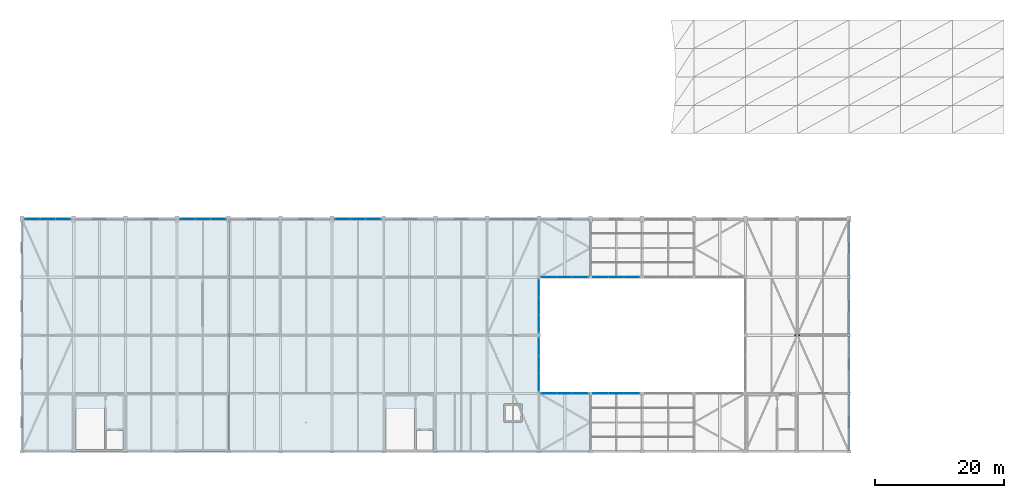
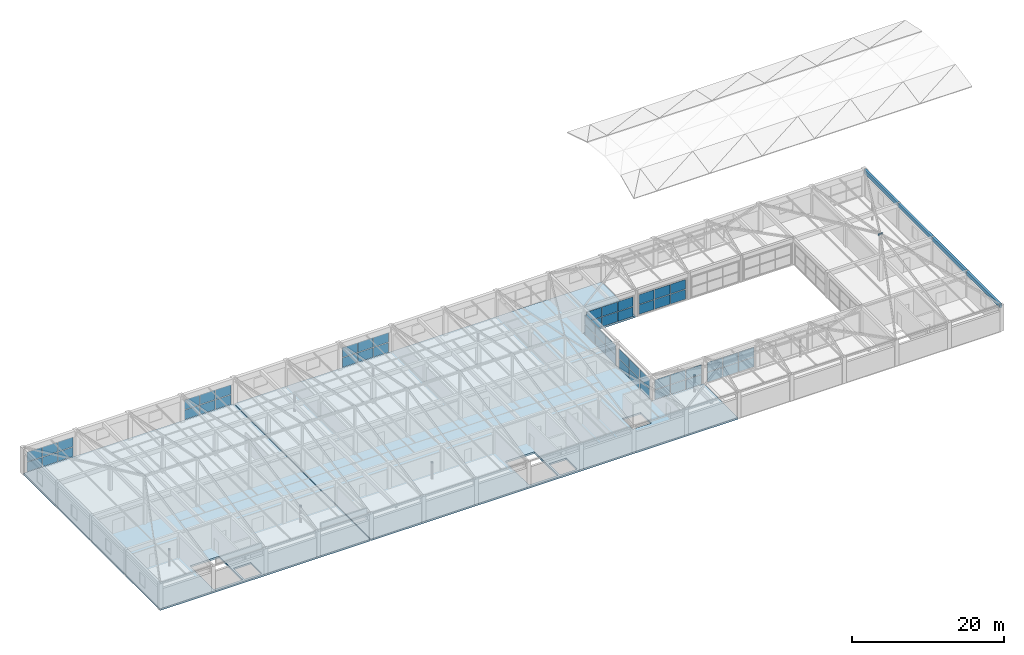
# One storey, part 49 of 65: 54 plates, 5 beams, 2 slabs, 9 elements without a shape of their own.
"""IFC4 building model written with IfcOpenShell, lengths in metres."""

import ifcopenshell
import ifcopenshell.guid

model = None  # the IFC model being written
_history = None  # IfcOwnerHistory: only IFC2X3 demands one
_inside = {}  # id of a spatial element -> (the spatial element, [elements in it])
_under = {}  # id of a project, library or spatial element -> (it, [spatial elements below it])
_declared = {}  # id of a project -> (the project, [libraries it declares])
_typed = {}  # id of a type object -> (the type object, [elements of that type])
_made_of = {}  # id of a material, layer set ... -> (it, [elements and type objects made of it])


def new_model(schema):
    """Start an empty IFC model of exactly this schema.

    Asked for "IFC4X3", IfcOpenShell would pick the latest addendum, in which some entities
    have other attributes; the version numbers below select the first issue.
    IFC2X3 requires an IfcOwnerHistory on every rooted entity: one is made here for all.
    """
    global model, _history
    if schema == "IFC4X3":
        model = ifcopenshell.file(schema_version=(4, 3, 0, 0))
    else:
        model = ifcopenshell.file(schema=schema)
    _inside.clear()
    _under.clear()
    _declared.clear()
    _typed.clear()
    _made_of.clear()
    _history = None
    if model.schema == "IFC2X3":
        org = make("IfcOrganization", Name="unknown")
        user = make(
            "IfcPersonAndOrganization",
            ThePerson=make("IfcPerson", FamilyName="unknown"),
            TheOrganization=org,
        )
        app = make(
            "IfcApplication",
            ApplicationDeveloper=org,
            Version="unknown",
            ApplicationFullName="unknown",
            ApplicationIdentifier="unknown",
        )
        _history = make(
            "IfcOwnerHistory",
            OwningUser=user,
            OwningApplication=app,
            ChangeAction="ADDED",
            CreationDate=0,
        )
    return model


def make(cls, **values):
    """One entity of the class cls with the attributes given. An attribute that is None is left unset."""
    return model.create_entity(
        cls, **{name: value for name, value in values.items() if value is not None}
    )


def rooted(cls, **values):
    """An entity with a GlobalId (a new one), such as an element, a storey or a relation."""
    return make(cls, GlobalId=ifcopenshell.guid.new(), OwnerHistory=_history, **values)


def si_unit(unit_type, name, prefix=None):
    """IfcSIUnit, for example si_unit("LENGTHUNIT", "METRE", prefix="MILLI")."""
    return make("IfcSIUnit", UnitType=unit_type, Prefix=prefix, Name=name)


def assignment(units):
    """IfcUnitAssignment: the units of a project."""
    return None if units is None else make("IfcUnitAssignment", Units=units)


def point(xyz):
    """IfcCartesianPoint."""
    return None if xyz is None else make("IfcCartesianPoint", Coordinates=xyz)


def direction(xyz):
    """IfcDirection."""
    return None if xyz is None else make("IfcDirection", DirectionRatios=xyz)


def frame(location, z_axis=None, x_axis=None):
    """IfcAxis2Placement3D, a coordinate frame: its origin and axes. An axis left out is left unset."""
    return make(
        "IfcAxis2Placement3D",
        Location=point(location),
        Axis=direction(z_axis),
        RefDirection=direction(x_axis),
    )


def frame_2d(location, x_axis=None):
    """IfcAxis2Placement2D, a coordinate frame in the plane: its origin and x axis."""
    return make(
        "IfcAxis2Placement2D", Location=point(location), RefDirection=direction(x_axis)
    )


def origin():
    """The frame at (0, 0, 0) with its axes left unset."""
    return frame((0.0, 0.0, 0.0))


def origin_2d():
    """The frame at (0, 0) in the plane with its x axis left unset."""
    return frame_2d((0.0, 0.0))


def place(relative_to, where):
    """IfcLocalPlacement: puts the frame where relative to a parent placement (None: the world)."""
    return make(
        "IfcLocalPlacement", PlacementRelTo=relative_to, RelativePlacement=where
    )


def context(
    kind, dimensions, precision=None, world=None, true_north=None, identifier=None
):
    """IfcGeometricRepresentationContext, for example the 3D "Model" context."""
    return make(
        "IfcGeometricRepresentationContext",
        ContextIdentifier=identifier,
        ContextType=kind,
        CoordinateSpaceDimension=dimensions,
        Precision=precision,
        WorldCoordinateSystem=world,
        TrueNorth=true_north,
    )


def subcontext(parent, identifier, kind, view, scale=None):
    """IfcGeometricRepresentationSubContext, for example "Body" below "Model"."""
    return make(
        "IfcGeometricRepresentationSubContext",
        ContextIdentifier=identifier,
        ContextType=kind,
        ParentContext=parent,
        TargetScale=scale,
        TargetView=view,
    )


def project(units=None, contexts=None):
    """IfcProject with its units and contexts."""
    return rooted(
        "IfcProject",
        Name="project",
        RepresentationContexts=contexts,
        UnitsInContext=assignment(units),
    )


def spatial(cls, under=None, at=None, **own):
    """A site, building, storey or space (cls), placed at a placement, below another one or the project."""
    s = rooted(cls, ObjectPlacement=at, **own)
    if under is not None:
        _under.setdefault(under.id(), (under, []))[1].append(s)
    return s


def polyline(points):
    """IfcPolyline through the points."""
    return make("IfcPolyline", Points=[point(p) for p in points])


def profile(cls, at=None, kind="AREA", **sizes):
    """A parametric profile (cls). Its sizes go by their IFC names, for example OverallWidth=200.0."""
    return make(cls, ProfileType=kind, Position=at, **sizes)


def rectangle(**sizes):
    """IfcRectangleProfileDef."""
    return profile("IfcRectangleProfileDef", **sizes)


def i_section(**sizes):
    """IfcIShapeProfileDef."""
    return profile("IfcIShapeProfileDef", **sizes)


def outline(outer, holes=None, kind="AREA"):
    """IfcArbitraryClosedProfileDef: a profile drawn as a closed curve; with holes, ...WithVoids."""
    if holes is None:
        return make("IfcArbitraryClosedProfileDef", ProfileType=kind, OuterCurve=outer)
    return make(
        "IfcArbitraryProfileDefWithVoids",
        ProfileType=kind,
        OuterCurve=outer,
        InnerCurves=holes,
    )


def extrude(swept, where, along, depth):
    """IfcExtrudedAreaSolid: the profile swept, set in the frame where, extruded along a direction by depth."""
    return make(
        "IfcExtrudedAreaSolid",
        SweptArea=swept,
        Position=where,
        ExtrudedDirection=direction(along),
        Depth=depth,
    )


def shape(context_of_items, identifier, shape_type, items):
    """IfcShapeRepresentation: the items that make up one representation, for example the "Body"."""
    return make(
        "IfcShapeRepresentation",
        ContextOfItems=context_of_items,
        RepresentationIdentifier=identifier,
        RepresentationType=shape_type,
        Items=items,
    )


def material(Name=None, Category=None):
    """IfcMaterial."""
    return make("IfcMaterial", Name=Name, Category=Category)


def layer(
    of_material, thickness, ventilated=None, Name=None, Category=None, Priority=None
):
    """IfcMaterialLayer: one layer of a wall or slab, of a material (None: an air gap)."""
    return make(
        "IfcMaterialLayer",
        Material=of_material,
        LayerThickness=thickness,
        IsVentilated=ventilated,
        Name=Name,
        Category=Category,
        Priority=Priority,
    )


def layer_set(layers, Name=None):
    """IfcMaterialLayerSet."""
    return make("IfcMaterialLayerSet", MaterialLayers=layers, LayerSetName=Name)


def material_profile(
    of_material, cross_section, Name=None, Category=None, Priority=None
):
    """IfcMaterialProfile: a cross section and its material."""
    return make(
        "IfcMaterialProfile",
        Name=Name,
        Material=of_material,
        Profile=cross_section,
        Priority=Priority,
        Category=Category,
    )


def profile_set(profiles, Name=None, composite=None):
    """IfcMaterialProfileSet."""
    return make(
        "IfcMaterialProfileSet",
        Name=Name,
        MaterialProfiles=profiles,
        CompositeProfile=composite,
    )


def made_of(thing, what):
    """Note that an element or type object is made of a material, layer set ...; save() writes the relation."""
    if what is not None:
        _made_of.setdefault(what.id(), (what, []))[1].append(thing)
    return thing


def type_object(cls, material=None, **own):
    """A type object (cls), such as IfcWallType, which elements share."""
    return made_of(rooted(cls, **own), material)


def element(
    cls,
    number,
    at=None,
    inside=None,
    cuts=None,
    type_object=None,
    material=None,
    context=None,
    identifier="Body",
    shape_type=None,
    held_by="IfcProductDefinitionShape",
    body=None,
    shapes=None,
    **own,
):
    """One element of the class cls, such as IfcWall. Its Tag is "e" and its number.

    at: its placement. inside: the storey or other place that contains it. cuts: it is an
    opening in that element (IfcRelVoidsElement). A single representation is given by context,
    identifier, shape_type and body (its items); several are given by shapes. held_by: the class
    of the entity that holds the representations. save() writes the other relations.
    """
    e = rooted(cls, Tag="e%d" % number, ObjectPlacement=at, **own)
    if body is not None:
        shapes = [shape(context, identifier, shape_type, body)]
    if shapes is not None:
        e.Representation = make(held_by, Representations=shapes)
    if inside is not None:
        _inside.setdefault(inside.id(), (inside, []))[1].append(e)
    if cuts is not None:
        rooted(
            "IfcRelVoidsElement", RelatingBuildingElement=cuts, RelatedOpeningElement=e
        )
    if type_object is not None:
        _typed.setdefault(type_object.id(), (type_object, []))[1].append(e)
    return made_of(e, material)


def aggregate(whole, parts):
    """IfcRelAggregates: a whole, such as a stair, and the parts it consists of."""
    return rooted("IfcRelAggregates", RelatingObject=whole, RelatedObjects=parts)


def save(model, path):
    """Write the relations noted so far, then the file.

    IfcRelAggregates (storeys below a building ...), IfcRelContainedInSpatialStructure (elements
    in a storey), IfcRelDefinesByType, IfcRelAssociatesMaterial and IfcRelDeclares: one each for
    every whole, place, type object, material and project.
    """
    for whole, parts in _under.values():
        aggregate(whole, parts)
    for where, things in _inside.values():
        rooted(
            "IfcRelContainedInSpatialStructure",
            RelatedElements=things,
            RelatingStructure=where,
        )
    for kind, things in _typed.values():
        rooted("IfcRelDefinesByType", RelatedObjects=things, RelatingType=kind)
    for what, things in _made_of.values():
        rooted("IfcRelAssociatesMaterial", RelatedObjects=things, RelatingMaterial=what)
    for by, libraries in _declared.values():
        rooted("IfcRelDeclares", RelatingContext=by, RelatedDefinitions=libraries)
    model.write(path)


model = new_model("IFC4")

# Units and contexts
model_context = context("Model", 3, precision=1e-05, world=origin(), true_north=direction((0.0, 1.0)))
body_context = subcontext(model_context, "Body", "Model", "MODEL_VIEW")
ifc_project = project(units=[si_unit("LENGTHUNIT", "METRE"), si_unit("AREAUNIT", "SQUARE_METRE"), si_unit("VOLUMEUNIT", "CUBIC_METRE"), si_unit("PLANEANGLEUNIT", "RADIAN"), si_unit("MASSUNIT", "GRAM", prefix="KILO")], contexts=[model_context])

# Site, building, storey
site_placement = place(None, origin())
site = spatial("IfcSite", under=ifc_project, at=site_placement, CompositionType="ELEMENT")
building_placement = place(site_placement, origin())
building = spatial("IfcBuilding", under=site, at=building_placement, Name="Varnabhumi Central Station", CompositionType="ELEMENT")
storey_placement = place(building_placement, frame((0.0, 0.0, 24.60009765625)))
storey = spatial("IfcBuildingStorey", under=building, at=storey_placement, Name="L05", CompositionType="ELEMENT", Elevation=24.60009765625)

# Beams
ifc_material_1 = material(Name="Structural steel E350", Category="steel")
ifc_material_profile_1 = material_profile(ifc_material_1, i_section(OverallWidth=0.125, OverallDepth=0.25, WebThickness=0.0068359375, FlangeThickness=0.012451171875, FilletRadius=0.012939453125, at=origin_2d()), Name="Structural steel E350", Category="steel")
ifc_profile_set_1 = profile_set([ifc_material_profile_1], Name="Structural steel E350")
beam_type_1 = type_object("IfcBeamType", Name="BM-PUR-ISMB250", PredefinedType="JOIST", material=ifc_profile_set_1)
beam_placement = place(storey_placement, frame((151.64990234375, 18.0, 7.3798828125), z_axis=(1.0, 0.0, 0.0), x_axis=(0.0, 1.0, 0.0)))
element("IfcBeam", 1, at=beam_placement, inside=storey, type_object=beam_type_1, Name="Pyramidal Roof Apex Ridge Cap Beam SW6W", PredefinedType="JOIST", context=body_context, shape_type="SweptSolid", body=[
    extrude(i_section(OverallWidth=0.125, OverallDepth=0.25, WebThickness=0.0068359375, FlangeThickness=0.012451171875, FilletRadius=0.012939453125, at=origin_2d()), origin(), (0.0, 0.0, 1.0), 0.7001953125),
])
ifc_material_2 = material(Name="Concrete M40", Category="concrete")
ifc_material_profile_2 = material_profile(ifc_material_2, rectangle(XDim=0.35009765625, YDim=0.60009765625, at=origin_2d()), Name="Concrete M40", Category="concrete")
ifc_profile_set_2 = profile_set([ifc_material_profile_2], Name="Concrete M40")
beam_type_2 = type_object("IfcBeamType", Name="BM-RC-350x600", PredefinedType="BEAM", material=ifc_profile_set_2)
for number, where, z_axis, x_axis, name in (
    (2, (160.0, 0.10009765625, 3.89990234375), (0.0, 1.0, 0.0), (-1.0, 0.0, 0.0), "Beam L05-21:A-B"),
    (3, (160.0, 9.10009765625, 3.89990234375), (0.0, 1.0, 0.0), (-1.0, 0.0, 0.0), "Beam L05-21:B-C"),
    (4, (160.0, 18.10009765625, 3.89990234375), (0.0, 1.0, 0.0), (-1.0, 0.0, 0.0), "Beam L05-21:C-D"),
    (5, (160.0, 27.10009765625, 3.89990234375), (0.0, 1.0, 0.0), (-1.0, 0.0, 0.0), "Beam L05-21:D-E"),
):
    element("IfcBeam", number, at=place(storey_placement, frame(where, z_axis=z_axis, x_axis=x_axis)), inside=storey, type_object=beam_type_2, Name=name, PredefinedType="BEAM", context=body_context, shape_type="SweptSolid", body=[
        extrude(rectangle(XDim=0.35009765625, YDim=0.60009765625, at=origin_2d()), origin(), (0.0, 0.0, 1.0), 8.7998046875),
    ])

# Curtain wall, plates
ifc_material_3 = material(Name="Anodised aluminium 6063-T6", Category="aluminium")
curtain_wall_type_1 = type_object("IfcCurtainWallType", Name="CW-PATIO-LOGGIA-L3", PredefinedType="NOTDEFINED", material=ifc_material_3)
curtain_wall_1_placement = place(storey_placement, origin())
curtain_wall_1 = element("IfcCurtainWall", 6, at=curtain_wall_1_placement, inside=storey, type_object=curtain_wall_type_1, Name="Curtain Wall CW-SP5S2", PredefinedType="NOTDEFINED")
ifc_material_4 = material(Name="Laminated low-E double glazing", Category="glass")
ifc_layer_1 = layer(ifc_material_4, 0.035888671875, Name="Laminated low-E double glazing", Category="glass")
ifc_layer_set_1 = layer_set([ifc_layer_1], Name="Laminated low-E double glazing")
plate_type_1 = type_object("IfcPlateType", Name="CW-PNL-GLZ-1", PredefinedType="CURTAIN_PANEL", material=ifc_layer_set_1)
plate_1_placement = place(storey_placement, frame((121.61328125, 9.0, 0.039794921875), z_axis=(0.0, 0.0, 1.0), x_axis=(1.0, 0.0, 0.0)))
plate_1 = element("IfcPlate", 7, at=plate_1_placement, type_object=plate_type_1, Name="Glazed Panel CW-SP5S2-P11", PredefinedType="CURTAIN_PANEL", context=body_context, shape_type="SweptSolid", body=[
    extrude(rectangle(XDim=2.306640625, YDim=0.035888671875, at=origin_2d()), origin(), (0.0, 0.0, 1.0), 1.5400390625),
])
plate_2_placement = place(storey_placement, frame((121.61328125, 9.0, 1.659912109375), z_axis=(0.0, 0.0, 1.0), x_axis=(1.0, 0.0, 0.0)))
plate_2 = element("IfcPlate", 8, at=plate_2_placement, type_object=plate_type_1, Name="Glazed Panel CW-SP5S2-P12", PredefinedType="CURTAIN_PANEL", context=body_context, shape_type="SweptSolid", body=[
    extrude(rectangle(XDim=2.306640625, YDim=0.035888671875, at=origin_2d()), origin(), (0.0, 0.0, 1.0), 1.5400390625),
])
plate_3_placement = place(storey_placement, frame((124.0, 9.0, 0.039794921875), z_axis=(0.0, 0.0, 1.0), x_axis=(1.0, 0.0, 0.0)))
plate_3 = element("IfcPlate", 9, at=plate_3_placement, type_object=plate_type_1, Name="Glazed Panel CW-SP5S2-P21", PredefinedType="CURTAIN_PANEL", context=body_context, shape_type="SweptSolid", body=[
    extrude(rectangle(XDim=2.306640625, YDim=0.035888671875, at=origin_2d()), origin(), (0.0, 0.0, 1.0), 1.5400390625),
])
plate_4_placement = place(storey_placement, frame((124.0, 9.0, 1.659912109375), z_axis=(0.0, 0.0, 1.0), x_axis=(1.0, 0.0, 0.0)))
plate_4 = element("IfcPlate", 10, at=plate_4_placement, type_object=plate_type_1, Name="Glazed Panel CW-SP5S2-P22", PredefinedType="CURTAIN_PANEL", context=body_context, shape_type="SweptSolid", body=[
    extrude(rectangle(XDim=2.306640625, YDim=0.035888671875, at=origin_2d()), origin(), (0.0, 0.0, 1.0), 1.5400390625),
])
plate_5_placement = place(storey_placement, frame((126.38671875, 9.0, 0.039794921875), z_axis=(0.0, 0.0, 1.0), x_axis=(1.0, 0.0, 0.0)))
plate_5 = element("IfcPlate", 11, at=plate_5_placement, type_object=plate_type_1, Name="Glazed Panel CW-SP5S2-P31", PredefinedType="CURTAIN_PANEL", context=body_context, shape_type="SweptSolid", body=[
    extrude(rectangle(XDim=2.306640625, YDim=0.035888671875, at=origin_2d()), origin(), (0.0, 0.0, 1.0), 1.5400390625),
])
plate_6_placement = place(storey_placement, frame((126.38671875, 9.0, 1.659912109375), z_axis=(0.0, 0.0, 1.0), x_axis=(1.0, 0.0, 0.0)))
plate_6 = element("IfcPlate", 12, at=plate_6_placement, type_object=plate_type_1, Name="Glazed Panel CW-SP5S2-P32", PredefinedType="CURTAIN_PANEL", context=body_context, shape_type="SweptSolid", body=[
    extrude(rectangle(XDim=2.306640625, YDim=0.035888671875, at=origin_2d()), origin(), (0.0, 0.0, 1.0), 1.5400390625),
])
aggregate(curtain_wall_1, [plate_1, plate_2, plate_3, plate_4, plate_5, plate_6])

curtain_wall_2_placement = place(storey_placement, origin())
curtain_wall_2 = element("IfcCurtainWall", 13, at=curtain_wall_2_placement, inside=storey, type_object=curtain_wall_type_1, Name="Curtain Wall CW-SP5N2", PredefinedType="NOTDEFINED")
plate_7_placement = place(storey_placement, frame((121.61328125, 27.0, 0.039794921875), z_axis=(0.0, 0.0, 1.0), x_axis=(1.0, 0.0, 0.0)))
plate_7 = element("IfcPlate", 14, at=plate_7_placement, type_object=plate_type_1, Name="Glazed Panel CW-SP5N2-P11", PredefinedType="CURTAIN_PANEL", context=body_context, shape_type="SweptSolid", body=[
    extrude(rectangle(XDim=2.306640625, YDim=0.035888671875, at=origin_2d()), origin(), (0.0, 0.0, 1.0), 1.5400390625),
])
plate_8_placement = place(storey_placement, frame((121.61328125, 27.0, 1.659912109375), z_axis=(0.0, 0.0, 1.0), x_axis=(1.0, 0.0, 0.0)))
plate_8 = element("IfcPlate", 15, at=plate_8_placement, type_object=plate_type_1, Name="Glazed Panel CW-SP5N2-P12", PredefinedType="CURTAIN_PANEL", context=body_context, shape_type="SweptSolid", body=[
    extrude(rectangle(XDim=2.306640625, YDim=0.035888671875, at=origin_2d()), origin(), (0.0, 0.0, 1.0), 1.5400390625),
])
plate_9_placement = place(storey_placement, frame((124.0, 27.0, 0.039794921875), z_axis=(0.0, 0.0, 1.0), x_axis=(1.0, 0.0, 0.0)))
plate_9 = element("IfcPlate", 16, at=plate_9_placement, type_object=plate_type_1, Name="Glazed Panel CW-SP5N2-P21", PredefinedType="CURTAIN_PANEL", context=body_context, shape_type="SweptSolid", body=[
    extrude(rectangle(XDim=2.306640625, YDim=0.035888671875, at=origin_2d()), origin(), (0.0, 0.0, 1.0), 1.5400390625),
])
plate_10_placement = place(storey_placement, frame((124.0, 27.0, 1.659912109375), z_axis=(0.0, 0.0, 1.0), x_axis=(1.0, 0.0, 0.0)))
plate_10 = element("IfcPlate", 17, at=plate_10_placement, type_object=plate_type_1, Name="Glazed Panel CW-SP5N2-P22", PredefinedType="CURTAIN_PANEL", context=body_context, shape_type="SweptSolid", body=[
    extrude(rectangle(XDim=2.306640625, YDim=0.035888671875, at=origin_2d()), origin(), (0.0, 0.0, 1.0), 1.5400390625),
])
plate_11_placement = place(storey_placement, frame((126.38671875, 27.0, 0.039794921875), z_axis=(0.0, 0.0, 1.0), x_axis=(1.0, 0.0, 0.0)))
plate_11 = element("IfcPlate", 18, at=plate_11_placement, type_object=plate_type_1, Name="Glazed Panel CW-SP5N2-P31", PredefinedType="CURTAIN_PANEL", context=body_context, shape_type="SweptSolid", body=[
    extrude(rectangle(XDim=2.306640625, YDim=0.035888671875, at=origin_2d()), origin(), (0.0, 0.0, 1.0), 1.5400390625),
])
plate_12_placement = place(storey_placement, frame((126.38671875, 27.0, 1.659912109375), z_axis=(0.0, 0.0, 1.0), x_axis=(1.0, 0.0, 0.0)))
plate_12 = element("IfcPlate", 19, at=plate_12_placement, type_object=plate_type_1, Name="Glazed Panel CW-SP5N2-P32", PredefinedType="CURTAIN_PANEL", context=body_context, shape_type="SweptSolid", body=[
    extrude(rectangle(XDim=2.306640625, YDim=0.035888671875, at=origin_2d()), origin(), (0.0, 0.0, 1.0), 1.5400390625),
])
aggregate(curtain_wall_2, [plate_7, plate_8, plate_9, plate_10, plate_11, plate_12])

curtain_wall_type_2 = type_object("IfcCurtainWallType", Name="CW-SPINE-SCREEN-L0", PredefinedType="NOTDEFINED", material=ifc_material_3)
curtain_wall_3_placement = place(storey_placement, origin())
curtain_wall_3 = element("IfcCurtainWall", 20, at=curtain_wall_3_placement, inside=storey, type_object=curtain_wall_type_2, Name="Curtain Wall CW-SS506", PredefinedType="NOTDEFINED")
ifc_layer_2 = layer(ifc_material_4, 0.035888671875, Name="Laminated low-E double glazing", Category="glass")
ifc_layer_set_2 = layer_set([ifc_layer_2], Name="Laminated low-E double glazing")
plate_type_2 = type_object("IfcPlateType", Name="CW-PNL-GLZ-3", PredefinedType="CURTAIN_PANEL", material=ifc_layer_set_2)
plate_13_placement = place(storey_placement, frame((81.63330078125, 36.0, 0.039794921875), z_axis=(0.0, 0.0, 1.0), x_axis=(1.0, 0.0, 0.0)))
plate_13 = element("IfcPlate", 21, at=plate_13_placement, type_object=plate_type_2, Name="Glazed Panel CW-SS506-P11", PredefinedType="CURTAIN_PANEL", context=body_context, shape_type="SweptSolid", body=[
    extrude(rectangle(XDim=2.28662109375, YDim=0.035888671875, at=origin_2d()), origin(), (0.0, 0.0, 1.0), 1.5400390625),
])
plate_14_placement = place(storey_placement, frame((81.63330078125, 36.0, 1.659912109375), z_axis=(0.0, 0.0, 1.0), x_axis=(1.0, 0.0, 0.0)))
plate_14 = element("IfcPlate", 22, at=plate_14_placement, type_object=plate_type_2, Name="Glazed Panel CW-SS506-P12", PredefinedType="CURTAIN_PANEL", context=body_context, shape_type="SweptSolid", body=[
    extrude(rectangle(XDim=2.28662109375, YDim=0.035888671875, at=origin_2d()), origin(), (0.0, 0.0, 1.0), 1.5400390625),
])
plate_15_placement = place(storey_placement, frame((84.0, 36.0, 0.039794921875), z_axis=(0.0, 0.0, 1.0), x_axis=(1.0, 0.0, 0.0)))
plate_15 = element("IfcPlate", 23, at=plate_15_placement, type_object=plate_type_2, Name="Glazed Panel CW-SS506-P21", PredefinedType="CURTAIN_PANEL", context=body_context, shape_type="SweptSolid", body=[
    extrude(rectangle(XDim=2.28662109375, YDim=0.035888671875, at=origin_2d()), origin(), (0.0, 0.0, 1.0), 1.5400390625),
])
plate_16_placement = place(storey_placement, frame((84.0, 36.0, 1.659912109375), z_axis=(0.0, 0.0, 1.0), x_axis=(1.0, 0.0, 0.0)))
plate_16 = element("IfcPlate", 24, at=plate_16_placement, type_object=plate_type_2, Name="Glazed Panel CW-SS506-P22", PredefinedType="CURTAIN_PANEL", context=body_context, shape_type="SweptSolid", body=[
    extrude(rectangle(XDim=2.28662109375, YDim=0.035888671875, at=origin_2d()), origin(), (0.0, 0.0, 1.0), 1.5400390625),
])
plate_17_placement = place(storey_placement, frame((86.36669921875, 36.0, 0.039794921875), z_axis=(0.0, 0.0, 1.0), x_axis=(1.0, 0.0, 0.0)))
plate_17 = element("IfcPlate", 25, at=plate_17_placement, type_object=plate_type_2, Name="Glazed Panel CW-SS506-P31", PredefinedType="CURTAIN_PANEL", context=body_context, shape_type="SweptSolid", body=[
    extrude(rectangle(XDim=2.28662109375, YDim=0.035888671875, at=origin_2d()), origin(), (0.0, 0.0, 1.0), 1.5400390625),
])
plate_18_placement = place(storey_placement, frame((86.36669921875, 36.0, 1.659912109375), z_axis=(0.0, 0.0, 1.0), x_axis=(1.0, 0.0, 0.0)))
plate_18 = element("IfcPlate", 26, at=plate_18_placement, type_object=plate_type_2, Name="Glazed Panel CW-SS506-P32", PredefinedType="CURTAIN_PANEL", context=body_context, shape_type="SweptSolid", body=[
    extrude(rectangle(XDim=2.28662109375, YDim=0.035888671875, at=origin_2d()), origin(), (0.0, 0.0, 1.0), 1.5400390625),
])
aggregate(curtain_wall_3, [plate_13, plate_14, plate_15, plate_16, plate_17, plate_18])

curtain_wall_4_placement = place(storey_placement, origin())
curtain_wall_4 = element("IfcCurtainWall", 27, at=curtain_wall_4_placement, inside=storey, type_object=curtain_wall_type_1, Name="Curtain Wall CW-SP5E1", PredefinedType="NOTDEFINED")
plate_19_placement = place(storey_placement, frame((112.0, 10.780029296875, 0.039794921875), z_axis=(0.0, 0.0, 1.0), x_axis=(0.0, 1.0, 0.0)))
plate_19 = element("IfcPlate", 28, at=plate_19_placement, type_object=plate_type_2, Name="Glazed Panel CW-SP5E1-P11", PredefinedType="CURTAIN_PANEL", context=body_context, shape_type="SweptSolid", body=[
    extrude(rectangle(XDim=2.639892578125, YDim=0.035888671875, at=origin_2d()), origin(), (0.0, 0.0, 1.0), 1.5400390625),
])
plate_20_placement = place(storey_placement, frame((112.0, 10.780029296875, 1.659912109375), z_axis=(0.0, 0.0, 1.0), x_axis=(0.0, 1.0, 0.0)))
plate_20 = element("IfcPlate", 29, at=plate_20_placement, type_object=plate_type_2, Name="Glazed Panel CW-SP5E1-P12", PredefinedType="CURTAIN_PANEL", context=body_context, shape_type="SweptSolid", body=[
    extrude(rectangle(XDim=2.639892578125, YDim=0.035888671875, at=origin_2d()), origin(), (0.0, 0.0, 1.0), 1.5400390625),
])
plate_21_placement = place(storey_placement, frame((112.0, 13.5, 0.039794921875), z_axis=(0.0, 0.0, 1.0), x_axis=(0.0, 1.0, 0.0)))
plate_21 = element("IfcPlate", 30, at=plate_21_placement, type_object=plate_type_2, Name="Glazed Panel CW-SP5E1-P21", PredefinedType="CURTAIN_PANEL", context=body_context, shape_type="SweptSolid", body=[
    extrude(rectangle(XDim=2.639892578125, YDim=0.035888671875, at=origin_2d()), origin(), (0.0, 0.0, 1.0), 1.5400390625),
])
plate_22_placement = place(storey_placement, frame((112.0, 13.5, 1.659912109375), z_axis=(0.0, 0.0, 1.0), x_axis=(0.0, 1.0, 0.0)))
plate_22 = element("IfcPlate", 31, at=plate_22_placement, type_object=plate_type_2, Name="Glazed Panel CW-SP5E1-P22", PredefinedType="CURTAIN_PANEL", context=body_context, shape_type="SweptSolid", body=[
    extrude(rectangle(XDim=2.639892578125, YDim=0.035888671875, at=origin_2d()), origin(), (0.0, 0.0, 1.0), 1.5400390625),
])
plate_23_placement = place(storey_placement, frame((112.0, 16.219970703125, 0.039794921875), z_axis=(0.0, 0.0, 1.0), x_axis=(0.0, 1.0, 0.0)))
plate_23 = element("IfcPlate", 32, at=plate_23_placement, type_object=plate_type_2, Name="Glazed Panel CW-SP5E1-P31", PredefinedType="CURTAIN_PANEL", context=body_context, shape_type="SweptSolid", body=[
    extrude(rectangle(XDim=2.639892578125, YDim=0.035888671875, at=origin_2d()), origin(), (0.0, 0.0, 1.0), 1.5400390625),
])
plate_24_placement = place(storey_placement, frame((112.0, 16.219970703125, 1.659912109375), z_axis=(0.0, 0.0, 1.0), x_axis=(0.0, 1.0, 0.0)))
plate_24 = element("IfcPlate", 33, at=plate_24_placement, type_object=plate_type_2, Name="Glazed Panel CW-SP5E1-P32", PredefinedType="CURTAIN_PANEL", context=body_context, shape_type="SweptSolid", body=[
    extrude(rectangle(XDim=2.639892578125, YDim=0.035888671875, at=origin_2d()), origin(), (0.0, 0.0, 1.0), 1.5400390625),
])
aggregate(curtain_wall_4, [plate_19, plate_20, plate_21, plate_22, plate_23, plate_24])

curtain_wall_5_placement = place(storey_placement, origin())
curtain_wall_5 = element("IfcCurtainWall", 34, at=curtain_wall_5_placement, inside=storey, type_object=curtain_wall_type_1, Name="Curtain Wall CW-SP5E2", PredefinedType="NOTDEFINED")
plate_25_placement = place(storey_placement, frame((112.0, 19.780029296875, 0.039794921875), z_axis=(0.0, 0.0, 1.0), x_axis=(0.0, 1.0, 0.0)))
plate_25 = element("IfcPlate", 35, at=plate_25_placement, type_object=plate_type_2, Name="Glazed Panel CW-SP5E2-P11", PredefinedType="CURTAIN_PANEL", context=body_context, shape_type="SweptSolid", body=[
    extrude(rectangle(XDim=2.639892578125, YDim=0.035888671875, at=origin_2d()), origin(), (0.0, 0.0, 1.0), 1.5400390625),
])
plate_26_placement = place(storey_placement, frame((112.0, 19.780029296875, 1.659912109375), z_axis=(0.0, 0.0, 1.0), x_axis=(0.0, 1.0, 0.0)))
plate_26 = element("IfcPlate", 36, at=plate_26_placement, type_object=plate_type_2, Name="Glazed Panel CW-SP5E2-P12", PredefinedType="CURTAIN_PANEL", context=body_context, shape_type="SweptSolid", body=[
    extrude(rectangle(XDim=2.639892578125, YDim=0.035888671875, at=origin_2d()), origin(), (0.0, 0.0, 1.0), 1.5400390625),
])
plate_27_placement = place(storey_placement, frame((112.0, 22.5, 0.039794921875), z_axis=(0.0, 0.0, 1.0), x_axis=(0.0, 1.0, 0.0)))
plate_27 = element("IfcPlate", 37, at=plate_27_placement, type_object=plate_type_2, Name="Glazed Panel CW-SP5E2-P21", PredefinedType="CURTAIN_PANEL", context=body_context, shape_type="SweptSolid", body=[
    extrude(rectangle(XDim=2.639892578125, YDim=0.035888671875, at=origin_2d()), origin(), (0.0, 0.0, 1.0), 1.5400390625),
])
plate_28_placement = place(storey_placement, frame((112.0, 22.5, 1.659912109375), z_axis=(0.0, 0.0, 1.0), x_axis=(0.0, 1.0, 0.0)))
plate_28 = element("IfcPlate", 38, at=plate_28_placement, type_object=plate_type_2, Name="Glazed Panel CW-SP5E2-P22", PredefinedType="CURTAIN_PANEL", context=body_context, shape_type="SweptSolid", body=[
    extrude(rectangle(XDim=2.639892578125, YDim=0.035888671875, at=origin_2d()), origin(), (0.0, 0.0, 1.0), 1.5400390625),
])
plate_29_placement = place(storey_placement, frame((112.0, 25.219970703125, 0.039794921875), z_axis=(0.0, 0.0, 1.0), x_axis=(0.0, 1.0, 0.0)))
plate_29 = element("IfcPlate", 39, at=plate_29_placement, type_object=plate_type_2, Name="Glazed Panel CW-SP5E2-P31", PredefinedType="CURTAIN_PANEL", context=body_context, shape_type="SweptSolid", body=[
    extrude(rectangle(XDim=2.639892578125, YDim=0.035888671875, at=origin_2d()), origin(), (0.0, 0.0, 1.0), 1.5400390625),
])
plate_30_placement = place(storey_placement, frame((112.0, 25.219970703125, 1.659912109375), z_axis=(0.0, 0.0, 1.0), x_axis=(0.0, 1.0, 0.0)))
plate_30 = element("IfcPlate", 40, at=plate_30_placement, type_object=plate_type_2, Name="Glazed Panel CW-SP5E2-P32", PredefinedType="CURTAIN_PANEL", context=body_context, shape_type="SweptSolid", body=[
    extrude(rectangle(XDim=2.639892578125, YDim=0.035888671875, at=origin_2d()), origin(), (0.0, 0.0, 1.0), 1.5400390625),
])
aggregate(curtain_wall_5, [plate_25, plate_26, plate_27, plate_28, plate_29, plate_30])

curtain_wall_6_placement = place(storey_placement, origin())
curtain_wall_6 = element("IfcCurtainWall", 41, at=curtain_wall_6_placement, inside=storey, type_object=curtain_wall_type_2, Name="Curtain Wall CW-SS500", PredefinedType="NOTDEFINED")
ifc_layer_3 = layer(ifc_material_4, 0.035888671875, Name="Laminated low-E double glazing", Category="glass")
ifc_layer_set_3 = layer_set([ifc_layer_3], Name="Laminated low-E double glazing")
plate_type_3 = type_object("IfcPlateType", Name="CW-PNL-GLZ-6", PredefinedType="CURTAIN_PANEL", material=ifc_layer_set_3)
plate_31_placement = place(storey_placement, frame((33.63330078125, 36.0, 0.039794921875), z_axis=(0.0, 0.0, 1.0), x_axis=(1.0, 0.0, 0.0)))
plate_31 = element("IfcPlate", 42, at=plate_31_placement, type_object=plate_type_3, Name="Glazed Panel CW-SS500-P11", PredefinedType="CURTAIN_PANEL", context=body_context, shape_type="SweptSolid", body=[
    extrude(rectangle(XDim=2.28662109375, YDim=0.035888671875, at=origin_2d()), origin(), (0.0, 0.0, 1.0), 1.5400390625),
])
plate_32_placement = place(storey_placement, frame((33.63330078125, 36.0, 1.659912109375), z_axis=(0.0, 0.0, 1.0), x_axis=(1.0, 0.0, 0.0)))
plate_32 = element("IfcPlate", 43, at=plate_32_placement, type_object=plate_type_3, Name="Glazed Panel CW-SS500-P12", PredefinedType="CURTAIN_PANEL", context=body_context, shape_type="SweptSolid", body=[
    extrude(rectangle(XDim=2.28662109375, YDim=0.035888671875, at=origin_2d()), origin(), (0.0, 0.0, 1.0), 1.5400390625),
])
plate_33_placement = place(storey_placement, frame((36.0, 36.0, 0.039794921875), z_axis=(0.0, 0.0, 1.0), x_axis=(1.0, 0.0, 0.0)))
plate_33 = element("IfcPlate", 44, at=plate_33_placement, type_object=plate_type_3, Name="Glazed Panel CW-SS500-P21", PredefinedType="CURTAIN_PANEL", context=body_context, shape_type="SweptSolid", body=[
    extrude(rectangle(XDim=2.28662109375, YDim=0.035888671875, at=origin_2d()), origin(), (0.0, 0.0, 1.0), 1.5400390625),
])
plate_34_placement = place(storey_placement, frame((36.0, 36.0, 1.659912109375), z_axis=(0.0, 0.0, 1.0), x_axis=(1.0, 0.0, 0.0)))
plate_34 = element("IfcPlate", 45, at=plate_34_placement, type_object=plate_type_3, Name="Glazed Panel CW-SS500-P22", PredefinedType="CURTAIN_PANEL", context=body_context, shape_type="SweptSolid", body=[
    extrude(rectangle(XDim=2.28662109375, YDim=0.035888671875, at=origin_2d()), origin(), (0.0, 0.0, 1.0), 1.5400390625),
])
plate_35_placement = place(storey_placement, frame((38.36669921875, 36.0, 0.039794921875), z_axis=(0.0, 0.0, 1.0), x_axis=(1.0, 0.0, 0.0)))
plate_35 = element("IfcPlate", 46, at=plate_35_placement, type_object=plate_type_3, Name="Glazed Panel CW-SS500-P31", PredefinedType="CURTAIN_PANEL", context=body_context, shape_type="SweptSolid", body=[
    extrude(rectangle(XDim=2.28662109375, YDim=0.035888671875, at=origin_2d()), origin(), (0.0, 0.0, 1.0), 1.5400390625),
])
plate_36_placement = place(storey_placement, frame((38.36669921875, 36.0, 1.659912109375), z_axis=(0.0, 0.0, 1.0), x_axis=(1.0, 0.0, 0.0)))
plate_36 = element("IfcPlate", 47, at=plate_36_placement, type_object=plate_type_3, Name="Glazed Panel CW-SS500-P32", PredefinedType="CURTAIN_PANEL", context=body_context, shape_type="SweptSolid", body=[
    extrude(rectangle(XDim=2.28662109375, YDim=0.035888671875, at=origin_2d()), origin(), (0.0, 0.0, 1.0), 1.5400390625),
])
aggregate(curtain_wall_6, [plate_31, plate_32, plate_33, plate_34, plate_35, plate_36])

curtain_wall_7_placement = place(storey_placement, origin())
curtain_wall_7 = element("IfcCurtainWall", 48, at=curtain_wall_7_placement, inside=storey, type_object=curtain_wall_type_2, Name="Curtain Wall CW-SS503", PredefinedType="NOTDEFINED")
ifc_layer_4 = layer(ifc_material_4, 0.035888671875, Name="Laminated low-E double glazing", Category="glass")
ifc_layer_set_4 = layer_set([ifc_layer_4], Name="Laminated low-E double glazing")
plate_type_4 = type_object("IfcPlateType", Name="CW-PNL-GLZ-9", PredefinedType="CURTAIN_PANEL", material=ifc_layer_set_4)
plate_37_placement = place(storey_placement, frame((57.63330078125, 36.0, 0.039794921875), z_axis=(0.0, 0.0, 1.0), x_axis=(1.0, 0.0, 0.0)))
plate_37 = element("IfcPlate", 49, at=plate_37_placement, type_object=plate_type_4, Name="Glazed Panel CW-SS503-P11", PredefinedType="CURTAIN_PANEL", context=body_context, shape_type="SweptSolid", body=[
    extrude(rectangle(XDim=2.28662109375, YDim=0.035888671875, at=origin_2d()), origin(), (0.0, 0.0, 1.0), 1.5400390625),
])
plate_38_placement = place(storey_placement, frame((57.63330078125, 36.0, 1.659912109375), z_axis=(0.0, 0.0, 1.0), x_axis=(1.0, 0.0, 0.0)))
plate_38 = element("IfcPlate", 50, at=plate_38_placement, type_object=plate_type_4, Name="Glazed Panel CW-SS503-P12", PredefinedType="CURTAIN_PANEL", context=body_context, shape_type="SweptSolid", body=[
    extrude(rectangle(XDim=2.28662109375, YDim=0.035888671875, at=origin_2d()), origin(), (0.0, 0.0, 1.0), 1.5400390625),
])
plate_39_placement = place(storey_placement, frame((60.0, 36.0, 0.039794921875), z_axis=(0.0, 0.0, 1.0), x_axis=(1.0, 0.0, 0.0)))
plate_39 = element("IfcPlate", 51, at=plate_39_placement, type_object=plate_type_4, Name="Glazed Panel CW-SS503-P21", PredefinedType="CURTAIN_PANEL", context=body_context, shape_type="SweptSolid", body=[
    extrude(rectangle(XDim=2.28662109375, YDim=0.035888671875, at=origin_2d()), origin(), (0.0, 0.0, 1.0), 1.5400390625),
])
plate_40_placement = place(storey_placement, frame((60.0, 36.0, 1.659912109375), z_axis=(0.0, 0.0, 1.0), x_axis=(1.0, 0.0, 0.0)))
plate_40 = element("IfcPlate", 52, at=plate_40_placement, type_object=plate_type_4, Name="Glazed Panel CW-SS503-P22", PredefinedType="CURTAIN_PANEL", context=body_context, shape_type="SweptSolid", body=[
    extrude(rectangle(XDim=2.28662109375, YDim=0.035888671875, at=origin_2d()), origin(), (0.0, 0.0, 1.0), 1.5400390625),
])
plate_41_placement = place(storey_placement, frame((62.36669921875, 36.0, 0.039794921875), z_axis=(0.0, 0.0, 1.0), x_axis=(1.0, 0.0, 0.0)))
plate_41 = element("IfcPlate", 53, at=plate_41_placement, type_object=plate_type_4, Name="Glazed Panel CW-SS503-P31", PredefinedType="CURTAIN_PANEL", context=body_context, shape_type="SweptSolid", body=[
    extrude(rectangle(XDim=2.28662109375, YDim=0.035888671875, at=origin_2d()), origin(), (0.0, 0.0, 1.0), 1.5400390625),
])
plate_42_placement = place(storey_placement, frame((62.36669921875, 36.0, 1.659912109375), z_axis=(0.0, 0.0, 1.0), x_axis=(1.0, 0.0, 0.0)))
plate_42 = element("IfcPlate", 54, at=plate_42_placement, type_object=plate_type_4, Name="Glazed Panel CW-SS503-P32", PredefinedType="CURTAIN_PANEL", context=body_context, shape_type="SweptSolid", body=[
    extrude(rectangle(XDim=2.28662109375, YDim=0.035888671875, at=origin_2d()), origin(), (0.0, 0.0, 1.0), 1.5400390625),
])
aggregate(curtain_wall_7, [plate_37, plate_38, plate_39, plate_40, plate_41, plate_42])

curtain_wall_8_placement = place(storey_placement, origin())
curtain_wall_8 = element("IfcCurtainWall", 55, at=curtain_wall_8_placement, inside=storey, type_object=curtain_wall_type_1, Name="Curtain Wall CW-SP5S1", PredefinedType="NOTDEFINED")
plate_43_placement = place(storey_placement, frame((113.61328125, 9.0, 0.039794921875), z_axis=(0.0, 0.0, 1.0), x_axis=(1.0, 0.0, 0.0)))
plate_43 = element("IfcPlate", 56, at=plate_43_placement, type_object=plate_type_4, Name="Glazed Panel CW-SP5S1-P11", PredefinedType="CURTAIN_PANEL", context=body_context, shape_type="SweptSolid", body=[
    extrude(rectangle(XDim=2.306640625, YDim=0.035888671875, at=origin_2d()), origin(), (0.0, 0.0, 1.0), 1.5400390625),
])
plate_44_placement = place(storey_placement, frame((113.61328125, 9.0, 1.659912109375), z_axis=(0.0, 0.0, 1.0), x_axis=(1.0, 0.0, 0.0)))
plate_44 = element("IfcPlate", 57, at=plate_44_placement, type_object=plate_type_4, Name="Glazed Panel CW-SP5S1-P12", PredefinedType="CURTAIN_PANEL", context=body_context, shape_type="SweptSolid", body=[
    extrude(rectangle(XDim=2.306640625, YDim=0.035888671875, at=origin_2d()), origin(), (0.0, 0.0, 1.0), 1.5400390625),
])
plate_45_placement = place(storey_placement, frame((116.0, 9.0, 0.039794921875), z_axis=(0.0, 0.0, 1.0), x_axis=(1.0, 0.0, 0.0)))
plate_45 = element("IfcPlate", 58, at=plate_45_placement, type_object=plate_type_4, Name="Glazed Panel CW-SP5S1-P21", PredefinedType="CURTAIN_PANEL", context=body_context, shape_type="SweptSolid", body=[
    extrude(rectangle(XDim=2.306640625, YDim=0.035888671875, at=origin_2d()), origin(), (0.0, 0.0, 1.0), 1.5400390625),
])
plate_46_placement = place(storey_placement, frame((116.0, 9.0, 1.659912109375), z_axis=(0.0, 0.0, 1.0), x_axis=(1.0, 0.0, 0.0)))
plate_46 = element("IfcPlate", 59, at=plate_46_placement, type_object=plate_type_4, Name="Glazed Panel CW-SP5S1-P22", PredefinedType="CURTAIN_PANEL", context=body_context, shape_type="SweptSolid", body=[
    extrude(rectangle(XDim=2.306640625, YDim=0.035888671875, at=origin_2d()), origin(), (0.0, 0.0, 1.0), 1.5400390625),
])
plate_47_placement = place(storey_placement, frame((118.38671875, 9.0, 0.039794921875), z_axis=(0.0, 0.0, 1.0), x_axis=(1.0, 0.0, 0.0)))
plate_47 = element("IfcPlate", 60, at=plate_47_placement, type_object=plate_type_4, Name="Glazed Panel CW-SP5S1-P31", PredefinedType="CURTAIN_PANEL", context=body_context, shape_type="SweptSolid", body=[
    extrude(rectangle(XDim=2.306640625, YDim=0.035888671875, at=origin_2d()), origin(), (0.0, 0.0, 1.0), 1.5400390625),
])
plate_48_placement = place(storey_placement, frame((118.38671875, 9.0, 1.659912109375), z_axis=(0.0, 0.0, 1.0), x_axis=(1.0, 0.0, 0.0)))
plate_48 = element("IfcPlate", 61, at=plate_48_placement, type_object=plate_type_4, Name="Glazed Panel CW-SP5S1-P32", PredefinedType="CURTAIN_PANEL", context=body_context, shape_type="SweptSolid", body=[
    extrude(rectangle(XDim=2.306640625, YDim=0.035888671875, at=origin_2d()), origin(), (0.0, 0.0, 1.0), 1.5400390625),
])
aggregate(curtain_wall_8, [plate_43, plate_44, plate_45, plate_46, plate_47, plate_48])

curtain_wall_9_placement = place(storey_placement, origin())
curtain_wall_9 = element("IfcCurtainWall", 62, at=curtain_wall_9_placement, inside=storey, type_object=curtain_wall_type_1, Name="Curtain Wall CW-SP5N1", PredefinedType="NOTDEFINED")
plate_49_placement = place(storey_placement, frame((113.61328125, 27.0, 0.039794921875), z_axis=(0.0, 0.0, 1.0), x_axis=(1.0, 0.0, 0.0)))
plate_49 = element("IfcPlate", 63, at=plate_49_placement, type_object=plate_type_4, Name="Glazed Panel CW-SP5N1-P11", PredefinedType="CURTAIN_PANEL", context=body_context, shape_type="SweptSolid", body=[
    extrude(rectangle(XDim=2.306640625, YDim=0.035888671875, at=origin_2d()), origin(), (0.0, 0.0, 1.0), 1.5400390625),
])
plate_50_placement = place(storey_placement, frame((113.61328125, 27.0, 1.659912109375), z_axis=(0.0, 0.0, 1.0), x_axis=(1.0, 0.0, 0.0)))
plate_50 = element("IfcPlate", 64, at=plate_50_placement, type_object=plate_type_4, Name="Glazed Panel CW-SP5N1-P12", PredefinedType="CURTAIN_PANEL", context=body_context, shape_type="SweptSolid", body=[
    extrude(rectangle(XDim=2.306640625, YDim=0.035888671875, at=origin_2d()), origin(), (0.0, 0.0, 1.0), 1.5400390625),
])
plate_51_placement = place(storey_placement, frame((116.0, 27.0, 0.039794921875), z_axis=(0.0, 0.0, 1.0), x_axis=(1.0, 0.0, 0.0)))
plate_51 = element("IfcPlate", 65, at=plate_51_placement, type_object=plate_type_4, Name="Glazed Panel CW-SP5N1-P21", PredefinedType="CURTAIN_PANEL", context=body_context, shape_type="SweptSolid", body=[
    extrude(rectangle(XDim=2.306640625, YDim=0.035888671875, at=origin_2d()), origin(), (0.0, 0.0, 1.0), 1.5400390625),
])
plate_52_placement = place(storey_placement, frame((116.0, 27.0, 1.659912109375), z_axis=(0.0, 0.0, 1.0), x_axis=(1.0, 0.0, 0.0)))
plate_52 = element("IfcPlate", 66, at=plate_52_placement, type_object=plate_type_4, Name="Glazed Panel CW-SP5N1-P22", PredefinedType="CURTAIN_PANEL", context=body_context, shape_type="SweptSolid", body=[
    extrude(rectangle(XDim=2.306640625, YDim=0.035888671875, at=origin_2d()), origin(), (0.0, 0.0, 1.0), 1.5400390625),
])
plate_53_placement = place(storey_placement, frame((118.38671875, 27.0, 0.039794921875), z_axis=(0.0, 0.0, 1.0), x_axis=(1.0, 0.0, 0.0)))
plate_53 = element("IfcPlate", 67, at=plate_53_placement, type_object=plate_type_4, Name="Glazed Panel CW-SP5N1-P31", PredefinedType="CURTAIN_PANEL", context=body_context, shape_type="SweptSolid", body=[
    extrude(rectangle(XDim=2.306640625, YDim=0.035888671875, at=origin_2d()), origin(), (0.0, 0.0, 1.0), 1.5400390625),
])
plate_54_placement = place(storey_placement, frame((118.38671875, 27.0, 1.659912109375), z_axis=(0.0, 0.0, 1.0), x_axis=(1.0, 0.0, 0.0)))
plate_54 = element("IfcPlate", 68, at=plate_54_placement, type_object=plate_type_4, Name="Glazed Panel CW-SP5N1-P32", PredefinedType="CURTAIN_PANEL", context=body_context, shape_type="SweptSolid", body=[
    extrude(rectangle(XDim=2.306640625, YDim=0.035888671875, at=origin_2d()), origin(), (0.0, 0.0, 1.0), 1.5400390625),
])
aggregate(curtain_wall_9, [plate_49, plate_50, plate_51, plate_52, plate_53, plate_54])

# Slabs
ifc_layer_5 = layer(ifc_material_2, 0.280029296875, Name="Concrete M40", Category="concrete")
ifc_layer_set_5 = layer_set([ifc_layer_5], Name="Concrete M40")
slab_type = type_object("IfcSlabType", Name="SLB-OPS-HEAVY-280", PredefinedType="FLOOR", material=ifc_layer_set_5)
slab_1_placement = place(storey_placement, frame((0.0, 0.0, -0.280029296875)))
element("IfcSlab", 69, at=slab_1_placement, inside=storey, type_object=slab_type, Name="South Wing L05 Floor Slab Zone 1", PredefinedType="FLOOR", context=body_context, shape_type="SweptSolid", body=[
    extrude(outline(polyline([(32.0, 0.0), (63.93994140625, 0.0), (63.93994140625, 36.0), (32.0, 36.0), (32.0, 0.0)]), holes=[polyline([(40.330078125, 0.35009765625), (44.760009765625, 0.35009765625), (44.760009765625, 6.580078125), (40.330078125, 6.580078125), (40.330078125, 0.35009765625)]), polyline([(45.0400390625, 0.35009765625), (47.669921875, 0.35009765625), (47.669921875, 3.25), (45.0400390625, 3.25), (45.0400390625, 0.35009765625)])]), origin(), (0.0, 0.0, 1.0), 0.280029296875),
])
slab_2_placement = place(storey_placement, frame((0.0, 0.0, -0.280029296875)))
element("IfcSlab", 70, at=slab_2_placement, inside=storey, type_object=slab_type, Name="South Wing L05 Floor Slab Zone 2", PredefinedType="FLOOR", context=body_context, shape_type="SweptSolid", body=[
    extrude(outline(polyline([(64.06005859375, 0.0), (119.93994140625, 0.0), (119.93994140625, 9.0), (112.0, 9.0), (112.0, 27.0), (119.93994140625, 27.0), (119.93994140625, 36.0), (64.06005859375, 36.0), (64.06005859375, 0.0)]), holes=[polyline([(88.330078125, 0.35009765625), (92.760009765625, 0.35009765625), (92.760009765625, 6.580078125), (88.330078125, 6.580078125), (88.330078125, 0.35009765625)]), polyline([(93.0400390625, 0.35009765625), (95.669921875, 0.35009765625), (95.669921875, 3.25), (93.0400390625, 3.25), (93.0400390625, 0.35009765625)]), polyline([(106.60009765625, 4.60009765625), (109.39990234375, 4.60009765625), (109.39990234375, 7.39990234375), (106.60009765625, 7.39990234375), (106.60009765625, 4.60009765625)])]), origin(), (0.0, 0.0, 1.0), 0.280029296875),
])

save(model, "model.ifc")
